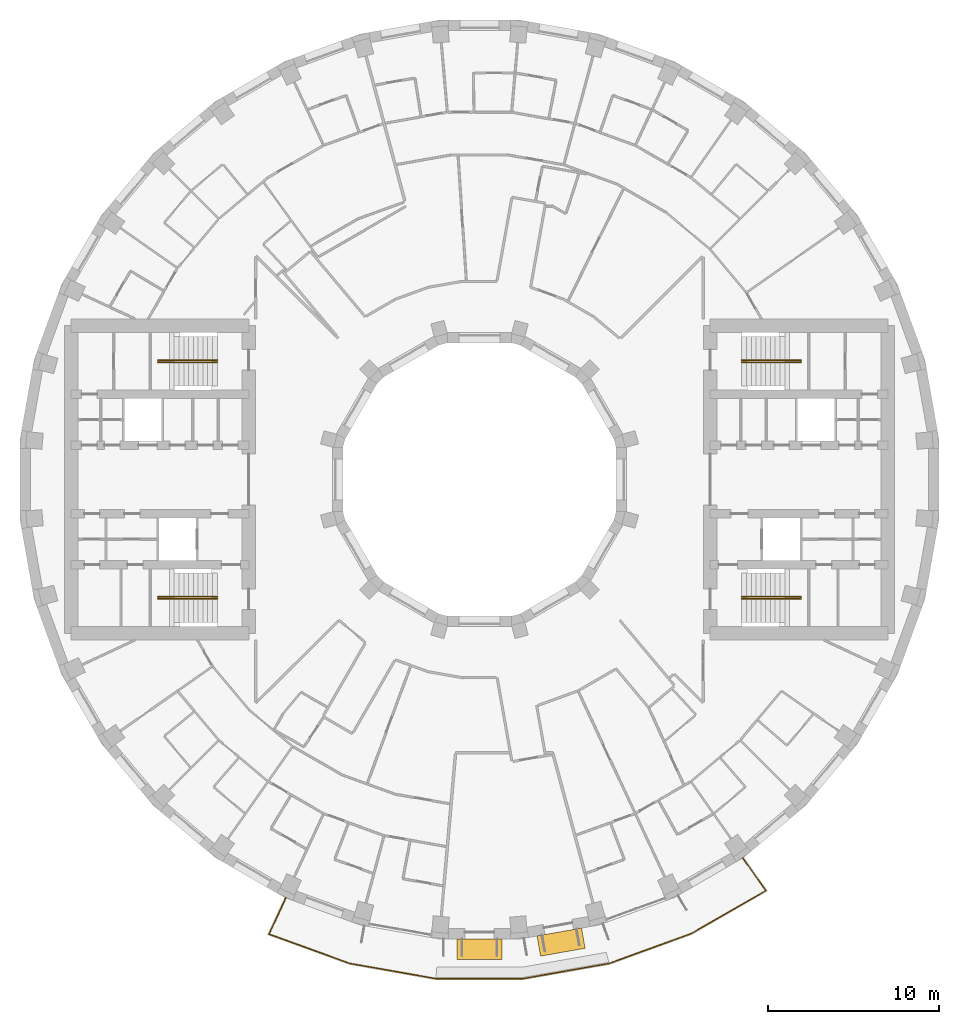
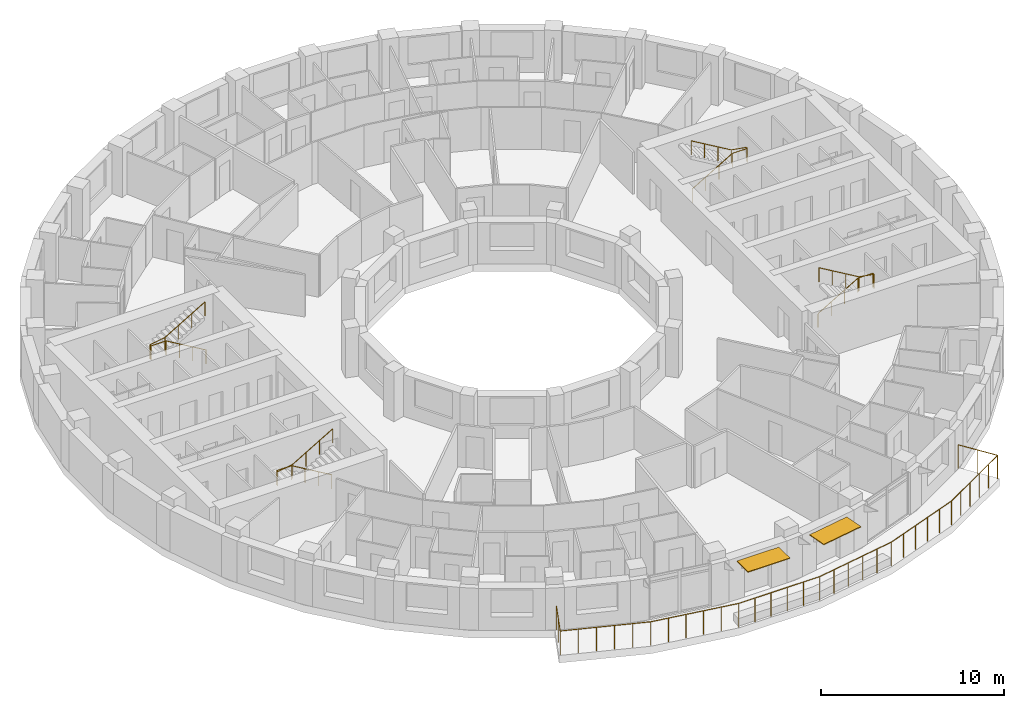
# One storey, part 16 of 16: 5 railings, 2 shading devices.
"""IFC4 building model written with IfcOpenShell, lengths in metres."""

from ifc_helpers import new_model, si_unit, direction, frame, origin, origin_2d, place, context, subcontext, project, spatial, rectangle, circle, extrude, material, layer, layer_set, type_object, element, save


model = new_model("IFC4")

# Units and contexts
model_context = context("Model", 3, precision=1e-05, world=origin(), true_north=direction((0.0, 1.0)))
body_context = subcontext(model_context, "Body", "Model", "MODEL_VIEW")
ifc_project = project(units=[si_unit("LENGTHUNIT", "METRE"), si_unit("AREAUNIT", "SQUARE_METRE"), si_unit("VOLUMEUNIT", "CUBIC_METRE"), si_unit("PLANEANGLEUNIT", "RADIAN"), si_unit("MASSUNIT", "GRAM", prefix="KILO")], contexts=[model_context])

# Site, building, storey
site_placement = place(None, origin())
site = spatial("IfcSite", under=ifc_project, at=site_placement, CompositionType="ELEMENT")
building_placement = place(site_placement, origin())
building = spatial("IfcBuilding", under=site, at=building_placement, Name="Saqina Gate Tower", CompositionType="ELEMENT")
storey_placement = place(building_placement, frame((0.0, 0.0, 144.699951171875)))
storey = spatial("IfcBuildingStorey", under=building, at=storey_placement, Name="L41", CompositionType="ELEMENT", Elevation=144.699951171875)

# Shading devices
ifc_material_1 = material(Name="Aluminium and fabric awning", Category="aluminium")
ifc_layer = layer(ifc_material_1, 0.050048828125)
ifc_layer_set = layer_set([ifc_layer], Name="AW-TERRACE")
shading_device_type = type_object("IfcShadingDeviceType", Name="AW-TERRACE", PredefinedType="AWNING", material=ifc_layer_set)
for number, where, z_axis, x_axis, name in (
    (1, (0.0, -27.497314453125, 2.52490234375), (0.0, 0.0, 1.0), (1.0, 0.0, 0.0), "Terrace awning L41 facet 27"),
    (2, (4.77490234375, -27.07958984375, 2.52490234375), (0.0, 0.0, 1.0), (0.984807753012, 0.173648177667, 0.0), "Terrace awning L41 facet 28"),
):
    element("IfcShadingDevice", number, at=place(storey_placement, frame(where, z_axis=z_axis, x_axis=x_axis)), inside=storey, type_object=shading_device_type, Name=name, PredefinedType="AWNING", context=body_context, shape_type="SweptSolid", body=[
        extrude(rectangle(XDim=2.647705078125, YDim=1.199951171875, at=origin_2d()), origin(), (0.0, 0.0, 1.0), 0.050048828125),
    ])

# Railings
ifc_material_2 = material(Name="Stainless steel", Category="steel")
railing_type_1 = type_object("IfcRailingType", Name="RL-TERRACE", PredefinedType="GUARDRAIL", material=ifc_material_2)
railing_1_placement = place(storey_placement, frame((-11.312744140625, -24.44970703125, 0.0)))
element("IfcRailing", 3, at=railing_1_placement, inside=storey, type_object=railing_type_1, Name="Terrace guard L41", PredefinedType="GUARDRAIL", context=body_context, shape_type="SweptSolid", body=[
    extrude(circle(Radius=0.02392578125, at=origin_2d()), frame((0.0, 0.0, 1.576171875), z_axis=(-0.422684046048, -0.906277108403, 0.0), x_axis=(0.906277108403, -0.422684046048, 0.0)), (0.0, 0.0, 1.0), 2.388916015625),
    extrude(circle(Radius=0.02392578125, at=origin_2d()), frame((-1.009765625, -2.1650390625, 1.576171875), z_axis=(0.940161124594, -0.340730186221, 0.0), x_axis=(0.340730186221, 0.940161124594, 0.0)), (0.0, 0.0, 1.0), 5.032958984375),
    extrude(circle(Radius=0.02392578125, at=origin_2d()), frame((3.721923828125, -3.8798828125, 1.576171875), z_axis=(0.984809508757, -0.173638220049, 0.0), x_axis=(0.173638220049, 0.984809508757, 0.0)), (0.0, 0.0, 1.0), 5.1123046875),
    extrude(circle(Radius=0.02392578125, at=origin_2d()), frame((8.756591796875, -4.767578125, 1.576171875), z_axis=(1.0, 0.0, 0.0), x_axis=(0.0, 1.0, 0.0)), (0.0, 0.0, 1.0), 5.1123046875),
    extrude(circle(Radius=0.02392578125, at=origin_2d()), frame((13.868896484375, -4.767578125, 1.576171875), z_axis=(0.984809508757, 0.173638220049, 0.0), x_axis=(-0.173638220049, 0.984809508757, 0.0)), (0.0, 0.0, 1.0), 5.1123046875),
    extrude(circle(Radius=0.02392578125, at=origin_2d()), frame((18.903564453125, -3.8798828125, 1.576171875), z_axis=(0.939695786518, 0.342011445423, 0.0), x_axis=(-0.342011445423, 0.939695786518, 0.0)), (0.0, 0.0, 1.0), 5.112548828125),
    extrude(circle(Radius=0.02392578125, at=origin_2d()), frame((23.707763671875, -2.13134765625, 1.576171875), z_axis=(0.866716521415, 0.498801033986, 0.0), x_axis=(-0.498801033986, 0.866716521415, 0.0)), (0.0, 0.0, 1.0), 5.032470703125),
    extrude(circle(Radius=0.02392578125, at=origin_2d()), frame((28.069580078125, 0.37890625, 1.576171875), z_axis=(-0.573517212768, 0.819193509898, 0.0), x_axis=(-0.819193509898, -0.573517212768, 0.0)), (0.0, 0.0, 1.0), 2.388916015625),
    extrude(circle(Radius=0.02099609375, at=origin_2d()), origin(), (0.0, 0.0, 1.0), 1.552001953125),
    extrude(circle(Radius=0.02099609375, at=origin_2d()), frame((-0.5048828125, -1.08251953125, 0.0)), (0.0, 0.0, 1.0), 1.552001953125),
    extrude(circle(Radius=0.02099609375, at=origin_2d()), frame((-1.009765625, -2.1650390625, 0.0)), (0.0, 0.0, 1.0), 1.552001953125),
    extrude(circle(Radius=0.02099609375, at=origin_2d()), frame((-0.0634765625, -2.508056640625, 0.0)), (0.0, 0.0, 1.0), 1.552001953125),
    extrude(circle(Radius=0.02099609375, at=origin_2d()), frame((0.8828125, -2.85107421875, 0.0)), (0.0, 0.0, 1.0), 1.552001953125),
    extrude(circle(Radius=0.02099609375, at=origin_2d()), frame((1.829345703125, -3.19384765625, 0.0)), (0.0, 0.0, 1.0), 1.552001953125),
    extrude(circle(Radius=0.02099609375, at=origin_2d()), frame((2.775634765625, -3.536865234375, 0.0)), (0.0, 0.0, 1.0), 1.552001953125),
    extrude(circle(Radius=0.02099609375, at=origin_2d()), frame((3.721923828125, -3.8798828125, 0.0)), (0.0, 0.0, 1.0), 1.552001953125),
    extrude(circle(Radius=0.02099609375, at=origin_2d()), frame((4.728759765625, -4.057373046875, 0.0)), (0.0, 0.0, 1.0), 1.552001953125),
    extrude(circle(Radius=0.02099609375, at=origin_2d()), frame((5.73583984375, -4.23486328125, 0.0)), (0.0, 0.0, 1.0), 1.552001953125),
    extrude(circle(Radius=0.02099609375, at=origin_2d()), frame((6.74267578125, -4.41259765625, 0.0)), (0.0, 0.0, 1.0), 1.552001953125),
    extrude(circle(Radius=0.02099609375, at=origin_2d()), frame((7.749755859375, -4.590087890625, 0.0)), (0.0, 0.0, 1.0), 1.552001953125),
    extrude(circle(Radius=0.02099609375, at=origin_2d()), frame((8.756591796875, -4.767578125, 0.0)), (0.0, 0.0, 1.0), 1.552001953125),
    extrude(circle(Radius=0.02099609375, at=origin_2d()), frame((9.779052734375, -4.767578125, 0.0)), (0.0, 0.0, 1.0), 1.552001953125),
    extrude(circle(Radius=0.02099609375, at=origin_2d()), frame((10.801513671875, -4.767578125, 0.0)), (0.0, 0.0, 1.0), 1.552001953125),
    extrude(circle(Radius=0.02099609375, at=origin_2d()), frame((11.823974609375, -4.767578125, 0.0)), (0.0, 0.0, 1.0), 1.552001953125),
    extrude(circle(Radius=0.02099609375, at=origin_2d()), frame((12.846435546875, -4.767578125, 0.0)), (0.0, 0.0, 1.0), 1.552001953125),
    extrude(circle(Radius=0.02099609375, at=origin_2d()), frame((13.868896484375, -4.767578125, 0.0)), (0.0, 0.0, 1.0), 1.552001953125),
    extrude(circle(Radius=0.02099609375, at=origin_2d()), frame((14.875732421875, -4.590087890625, 0.0)), (0.0, 0.0, 1.0), 1.552001953125),
    extrude(circle(Radius=0.02099609375, at=origin_2d()), frame((15.8828125, -4.41259765625, 0.0)), (0.0, 0.0, 1.0), 1.552001953125),
    extrude(circle(Radius=0.02099609375, at=origin_2d()), frame((16.8896484375, -4.23486328125, 0.0)), (0.0, 0.0, 1.0), 1.552001953125),
    extrude(circle(Radius=0.02099609375, at=origin_2d()), frame((17.896728515625, -4.057373046875, 0.0)), (0.0, 0.0, 1.0), 1.552001953125),
    extrude(circle(Radius=0.02099609375, at=origin_2d()), frame((18.903564453125, -3.8798828125, 0.0)), (0.0, 0.0, 1.0), 1.552001953125),
    extrude(circle(Radius=0.02099609375, at=origin_2d()), frame((19.864501953125, -3.5302734375, 0.0)), (0.0, 0.0, 1.0), 1.552001953125),
    extrude(circle(Radius=0.02099609375, at=origin_2d()), frame((20.8251953125, -3.180419921875, 0.0)), (0.0, 0.0, 1.0), 1.552001953125),
    extrude(circle(Radius=0.02099609375, at=origin_2d()), frame((21.7861328125, -2.830810546875, 0.0)), (0.0, 0.0, 1.0), 1.552001953125),
    extrude(circle(Radius=0.02099609375, at=origin_2d()), frame((22.746826171875, -2.48095703125, 0.0)), (0.0, 0.0, 1.0), 1.552001953125),
    extrude(circle(Radius=0.02099609375, at=origin_2d()), frame((23.707763671875, -2.13134765625, 0.0)), (0.0, 0.0, 1.0), 1.552001953125),
    extrude(circle(Radius=0.02099609375, at=origin_2d()), frame((24.580078125, -1.62939453125, 0.0)), (0.0, 0.0, 1.0), 1.552001953125),
    extrude(circle(Radius=0.02099609375, at=origin_2d()), frame((25.452392578125, -1.127197265625, 0.0)), (0.0, 0.0, 1.0), 1.552001953125),
    extrude(circle(Radius=0.02099609375, at=origin_2d()), frame((26.324951171875, -0.625244140625, 0.0)), (0.0, 0.0, 1.0), 1.552001953125),
    extrude(circle(Radius=0.02099609375, at=origin_2d()), frame((27.197265625, -0.123046875, 0.0)), (0.0, 0.0, 1.0), 1.552001953125),
    extrude(circle(Radius=0.02099609375, at=origin_2d()), frame((28.069580078125, 0.37890625, 0.0)), (0.0, 0.0, 1.0), 1.552001953125),
    extrude(circle(Radius=0.02099609375, at=origin_2d()), frame((27.384521484375, 1.357421875, 0.0)), (0.0, 0.0, 1.0), 1.552001953125),
    extrude(circle(Radius=0.02099609375, at=origin_2d()), frame((26.699462890625, 2.3359375, 0.0)), (0.0, 0.0, 1.0), 1.552001953125),
])
ifc_material_3 = material(Name="Stainless steel", Category="steel")
railing_type_2 = type_object("IfcRailingType", Name="STAIR HANDRAIL", PredefinedType="HANDRAIL", material=ifc_material_3)
railing_2_placement = place(storey_placement, frame((15.35009765625, 6.86669921875, 0.1650390625)))
element("IfcRailing", 4, at=railing_2_placement, inside=storey, type_object=railing_type_2, Name="EXIT STAIR 1 HANDRAIL", PredefinedType="HANDRAIL", context=body_context, shape_type="SweptSolid", body=[
    extrude(circle(Radius=0.02392578125, at=origin_2d()), frame((0.0, 0.0, 0.92578125), z_axis=(0.86152411907, 0.0, 0.507716645641), x_axis=(0.0, 1.0, 0.0)), (0.0, 0.0, 1.0), 2.925048828125),
    extrude(circle(Radius=0.02392578125, at=origin_2d()), frame((2.52001953125, 0.0, 2.4111328125), z_axis=(1.0, 0.0, 0.0), x_axis=(0.0, 1.0, 0.0)), (0.0, 0.0, 1.0), 0.949951171875),
    extrude(circle(Radius=0.02392578125, at=origin_2d()), frame((3.469970703125, 0.0, 2.4111328125), z_axis=(0.0, 1.0, 0.0), x_axis=(-1.0, 0.0, 0.0)), (0.0, 0.0, 1.0), 0.11669921875),
    extrude(circle(Radius=0.02392578125, at=origin_2d()), frame((3.469970703125, 0.11669921875, 2.4111328125), z_axis=(-0.985284148366, 0.0, 0.170924389655), x_axis=(0.0, -1.0, 0.0)), (0.0, 0.0, 1.0), 0.964111328125),
    extrude(circle(Radius=0.02392578125, at=origin_2d()), frame((2.52001953125, 0.11669921875, 2.57568359375), z_axis=(-0.86152411907, 0.0, 0.507716645641), x_axis=(0.0, -1.0, 0.0)), (0.0, 0.0, 1.0), 2.925048828125),
    extrude(circle(Radius=0.02099609375, at=origin_2d()), origin(), (0.0, 0.0, 1.0), 0.90185546875),
    extrude(circle(Radius=0.02099609375, at=origin_2d()), frame((0.840087890625, 0.0, 0.4951171875)), (0.0, 0.0, 1.0), 0.90185546875),
    extrude(circle(Radius=0.02099609375, at=origin_2d()), frame((1.679931640625, 0.0, 0.989990234375)), (0.0, 0.0, 1.0), 0.90185546875),
    extrude(circle(Radius=0.02099609375, at=origin_2d()), frame((2.52001953125, 0.0, 1.485107421875)), (0.0, 0.0, 1.0), 0.90185546875),
    extrude(circle(Radius=0.02099609375, at=origin_2d()), frame((3.469970703125, 0.0, 1.485107421875)), (0.0, 0.0, 1.0), 0.90185546875),
    extrude(circle(Radius=0.02099609375, at=origin_2d()), frame((3.469970703125, 0.11669921875, 1.485107421875)), (0.0, 0.0, 1.0), 0.90185546875),
    extrude(circle(Radius=0.02099609375, at=origin_2d()), frame((2.52001953125, 0.11669921875, 1.64990234375)), (0.0, 0.0, 1.0), 0.90185546875),
    extrude(circle(Radius=0.02099609375, at=origin_2d()), frame((1.679931640625, 0.11669921875, 2.14501953125)), (0.0, 0.0, 1.0), 0.90185546875),
    extrude(circle(Radius=0.02099609375, at=origin_2d()), frame((0.840087890625, 0.11669921875, 2.639892578125)), (0.0, 0.0, 1.0), 0.90185546875),
    extrude(circle(Radius=0.02099609375, at=origin_2d()), frame((0.0, 0.11669921875, 3.135009765625)), (0.0, 0.0, 1.0), 0.90185546875),
])
railing_3_placement = place(storey_placement, frame((15.35009765625, -6.86669921875, 0.1650390625)))
element("IfcRailing", 5, at=railing_3_placement, inside=storey, type_object=railing_type_2, Name="EXIT STAIR 2 HANDRAIL", PredefinedType="HANDRAIL", context=body_context, shape_type="SweptSolid", body=[
    extrude(circle(Radius=0.02392578125, at=origin_2d()), frame((0.0, 0.0, 0.92578125), z_axis=(0.86152411907, 0.0, 0.507716645641), x_axis=(0.0, 1.0, 0.0)), (0.0, 0.0, 1.0), 2.925048828125),
    extrude(circle(Radius=0.02392578125, at=origin_2d()), frame((2.52001953125, 0.0, 2.4111328125), z_axis=(1.0, 0.0, 0.0), x_axis=(0.0, 1.0, 0.0)), (0.0, 0.0, 1.0), 0.949951171875),
    extrude(circle(Radius=0.02392578125, at=origin_2d()), frame((3.469970703125, 0.0, 2.4111328125), z_axis=(0.0, -1.0, 0.0), x_axis=(1.0, 0.0, 0.0)), (0.0, 0.0, 1.0), 0.11669921875),
    extrude(circle(Radius=0.02392578125, at=origin_2d()), frame((3.469970703125, -0.11669921875, 2.4111328125), z_axis=(-0.985284148366, 0.0, 0.170924389655), x_axis=(0.0, -1.0, 0.0)), (0.0, 0.0, 1.0), 0.964111328125),
    extrude(circle(Radius=0.02392578125, at=origin_2d()), frame((2.52001953125, -0.11669921875, 2.57568359375), z_axis=(-0.86152411907, 0.0, 0.507716645641), x_axis=(0.0, -1.0, 0.0)), (0.0, 0.0, 1.0), 2.925048828125),
    extrude(circle(Radius=0.02099609375, at=origin_2d()), origin(), (0.0, 0.0, 1.0), 0.90185546875),
    extrude(circle(Radius=0.02099609375, at=origin_2d()), frame((0.840087890625, 0.0, 0.4951171875)), (0.0, 0.0, 1.0), 0.90185546875),
    extrude(circle(Radius=0.02099609375, at=origin_2d()), frame((1.679931640625, 0.0, 0.989990234375)), (0.0, 0.0, 1.0), 0.90185546875),
    extrude(circle(Radius=0.02099609375, at=origin_2d()), frame((2.52001953125, 0.0, 1.485107421875)), (0.0, 0.0, 1.0), 0.90185546875),
    extrude(circle(Radius=0.02099609375, at=origin_2d()), frame((3.469970703125, 0.0, 1.485107421875)), (0.0, 0.0, 1.0), 0.90185546875),
    extrude(circle(Radius=0.02099609375, at=origin_2d()), frame((3.469970703125, -0.11669921875, 1.485107421875)), (0.0, 0.0, 1.0), 0.90185546875),
    extrude(circle(Radius=0.02099609375, at=origin_2d()), frame((2.52001953125, -0.11669921875, 1.64990234375)), (0.0, 0.0, 1.0), 0.90185546875),
    extrude(circle(Radius=0.02099609375, at=origin_2d()), frame((1.679931640625, -0.11669921875, 2.14501953125)), (0.0, 0.0, 1.0), 0.90185546875),
    extrude(circle(Radius=0.02099609375, at=origin_2d()), frame((0.840087890625, -0.11669921875, 2.639892578125)), (0.0, 0.0, 1.0), 0.90185546875),
    extrude(circle(Radius=0.02099609375, at=origin_2d()), frame((0.0, -0.11669921875, 3.135009765625)), (0.0, 0.0, 1.0), 0.90185546875),
])
railing_4_placement = place(storey_placement, frame((-15.35009765625, 6.86669921875, 0.1650390625)))
element("IfcRailing", 6, at=railing_4_placement, inside=storey, type_object=railing_type_2, Name="EXIT STAIR 3 HANDRAIL", PredefinedType="HANDRAIL", context=body_context, shape_type="SweptSolid", body=[
    extrude(circle(Radius=0.02392578125, at=origin_2d()), frame((0.0, 0.0, 0.92578125), z_axis=(-0.86152411907, 0.0, 0.507716645641), x_axis=(0.0, -1.0, 0.0)), (0.0, 0.0, 1.0), 2.925048828125),
    extrude(circle(Radius=0.02392578125, at=origin_2d()), frame((-2.52001953125, 0.0, 2.4111328125), z_axis=(-1.0, 0.0, 0.0), x_axis=(0.0, -1.0, 0.0)), (0.0, 0.0, 1.0), 0.949951171875),
    extrude(circle(Radius=0.02392578125, at=origin_2d()), frame((-3.469970703125, 0.0, 2.4111328125), z_axis=(0.0, 1.0, 0.0), x_axis=(-1.0, 0.0, 0.0)), (0.0, 0.0, 1.0), 0.11669921875),
    extrude(circle(Radius=0.02392578125, at=origin_2d()), frame((-3.469970703125, 0.11669921875, 2.4111328125), z_axis=(0.985284148366, 0.0, 0.170924389655), x_axis=(0.0, 1.0, 0.0)), (0.0, 0.0, 1.0), 0.964111328125),
    extrude(circle(Radius=0.02392578125, at=origin_2d()), frame((-2.52001953125, 0.11669921875, 2.57568359375), z_axis=(0.86152411907, 0.0, 0.507716645641), x_axis=(0.0, 1.0, 0.0)), (0.0, 0.0, 1.0), 2.925048828125),
    extrude(circle(Radius=0.02099609375, at=origin_2d()), origin(), (0.0, 0.0, 1.0), 0.90185546875),
    extrude(circle(Radius=0.02099609375, at=origin_2d()), frame((-0.840087890625, 0.0, 0.4951171875)), (0.0, 0.0, 1.0), 0.90185546875),
    extrude(circle(Radius=0.02099609375, at=origin_2d()), frame((-1.679931640625, 0.0, 0.989990234375)), (0.0, 0.0, 1.0), 0.90185546875),
    extrude(circle(Radius=0.02099609375, at=origin_2d()), frame((-2.52001953125, 0.0, 1.485107421875)), (0.0, 0.0, 1.0), 0.90185546875),
    extrude(circle(Radius=0.02099609375, at=origin_2d()), frame((-3.469970703125, 0.0, 1.485107421875)), (0.0, 0.0, 1.0), 0.90185546875),
    extrude(circle(Radius=0.02099609375, at=origin_2d()), frame((-3.469970703125, 0.11669921875, 1.485107421875)), (0.0, 0.0, 1.0), 0.90185546875),
    extrude(circle(Radius=0.02099609375, at=origin_2d()), frame((-2.52001953125, 0.11669921875, 1.64990234375)), (0.0, 0.0, 1.0), 0.90185546875),
    extrude(circle(Radius=0.02099609375, at=origin_2d()), frame((-1.679931640625, 0.11669921875, 2.14501953125)), (0.0, 0.0, 1.0), 0.90185546875),
    extrude(circle(Radius=0.02099609375, at=origin_2d()), frame((-0.840087890625, 0.11669921875, 2.639892578125)), (0.0, 0.0, 1.0), 0.90185546875),
    extrude(circle(Radius=0.02099609375, at=origin_2d()), frame((0.0, 0.11669921875, 3.135009765625)), (0.0, 0.0, 1.0), 0.90185546875),
])
railing_5_placement = place(storey_placement, frame((-15.35009765625, -6.86669921875, 0.1650390625)))
element("IfcRailing", 7, at=railing_5_placement, inside=storey, type_object=railing_type_2, Name="EXIT STAIR 4 HANDRAIL", PredefinedType="HANDRAIL", context=body_context, shape_type="SweptSolid", body=[
    extrude(circle(Radius=0.02392578125, at=origin_2d()), frame((0.0, 0.0, 0.92578125), z_axis=(-0.86152411907, 0.0, 0.507716645641), x_axis=(0.0, -1.0, 0.0)), (0.0, 0.0, 1.0), 2.925048828125),
    extrude(circle(Radius=0.02392578125, at=origin_2d()), frame((-2.52001953125, 0.0, 2.4111328125), z_axis=(-1.0, 0.0, 0.0), x_axis=(0.0, -1.0, 0.0)), (0.0, 0.0, 1.0), 0.949951171875),
    extrude(circle(Radius=0.02392578125, at=origin_2d()), frame((-3.469970703125, 0.0, 2.4111328125), z_axis=(0.0, -1.0, 0.0), x_axis=(1.0, 0.0, 0.0)), (0.0, 0.0, 1.0), 0.11669921875),
    extrude(circle(Radius=0.02392578125, at=origin_2d()), frame((-3.469970703125, -0.11669921875, 2.4111328125), z_axis=(0.985284148366, 0.0, 0.170924389655), x_axis=(0.0, 1.0, 0.0)), (0.0, 0.0, 1.0), 0.964111328125),
    extrude(circle(Radius=0.02392578125, at=origin_2d()), frame((-2.52001953125, -0.11669921875, 2.57568359375), z_axis=(0.86152411907, 0.0, 0.507716645641), x_axis=(0.0, 1.0, 0.0)), (0.0, 0.0, 1.0), 2.925048828125),
    extrude(circle(Radius=0.02099609375, at=origin_2d()), origin(), (0.0, 0.0, 1.0), 0.90185546875),
    extrude(circle(Radius=0.02099609375, at=origin_2d()), frame((-0.840087890625, 0.0, 0.4951171875)), (0.0, 0.0, 1.0), 0.90185546875),
    extrude(circle(Radius=0.02099609375, at=origin_2d()), frame((-1.679931640625, 0.0, 0.989990234375)), (0.0, 0.0, 1.0), 0.90185546875),
    extrude(circle(Radius=0.02099609375, at=origin_2d()), frame((-2.52001953125, 0.0, 1.485107421875)), (0.0, 0.0, 1.0), 0.90185546875),
    extrude(circle(Radius=0.02099609375, at=origin_2d()), frame((-3.469970703125, 0.0, 1.485107421875)), (0.0, 0.0, 1.0), 0.90185546875),
    extrude(circle(Radius=0.02099609375, at=origin_2d()), frame((-3.469970703125, -0.11669921875, 1.485107421875)), (0.0, 0.0, 1.0), 0.90185546875),
    extrude(circle(Radius=0.02099609375, at=origin_2d()), frame((-2.52001953125, -0.11669921875, 1.64990234375)), (0.0, 0.0, 1.0), 0.90185546875),
    extrude(circle(Radius=0.02099609375, at=origin_2d()), frame((-1.679931640625, -0.11669921875, 2.14501953125)), (0.0, 0.0, 1.0), 0.90185546875),
    extrude(circle(Radius=0.02099609375, at=origin_2d()), frame((-0.840087890625, -0.11669921875, 2.639892578125)), (0.0, 0.0, 1.0), 0.90185546875),
    extrude(circle(Radius=0.02099609375, at=origin_2d()), frame((0.0, -0.11669921875, 3.135009765625)), (0.0, 0.0, 1.0), 0.90185546875),
])

save(model, "model.ifc")
